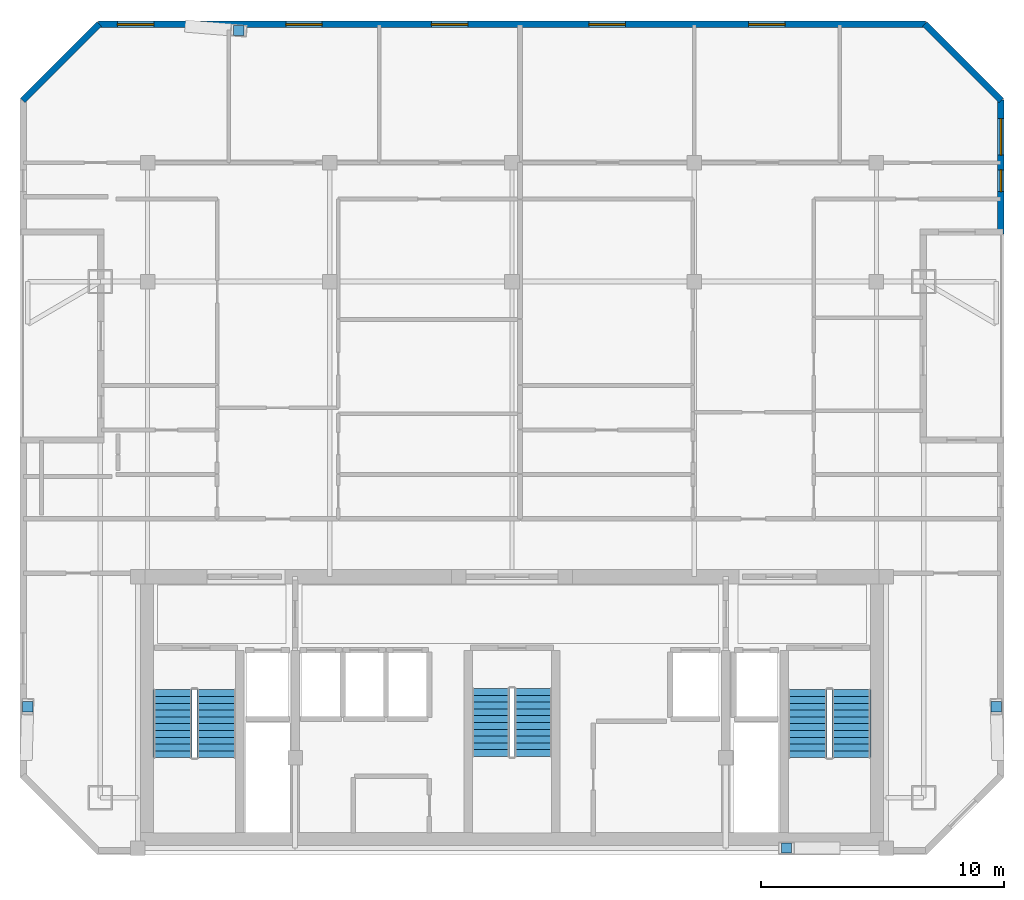
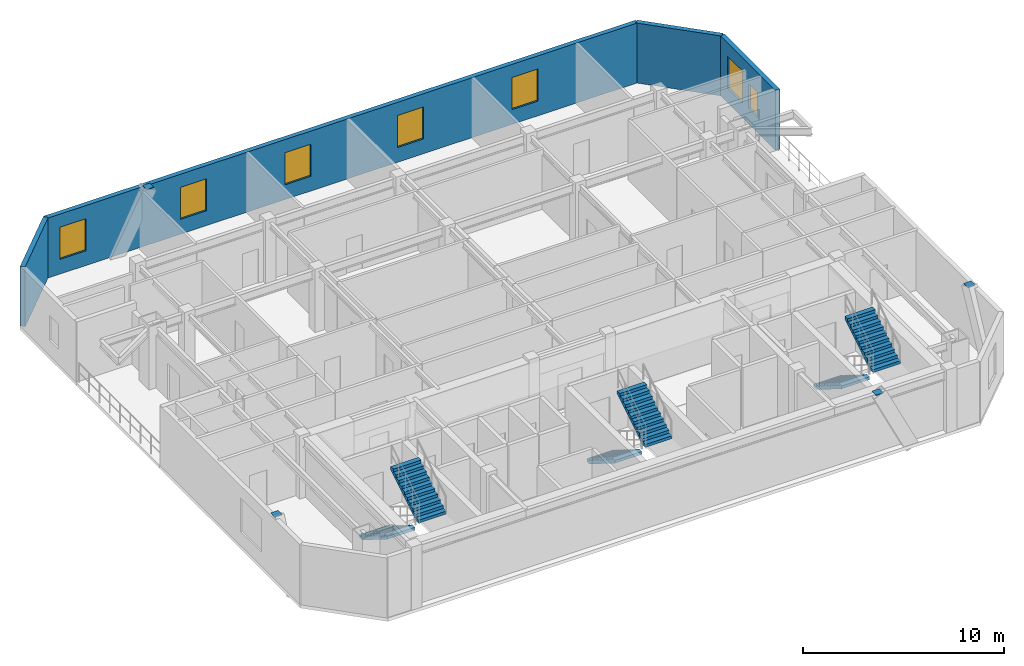
# One storey, part 6 of 7: 7 windows, 6 stair flights, 4 discrete accessories, 4 walls, 7 openings, 3 elements without a shape of their own.
"""IFC4 building model written with IfcOpenShell, lengths in metres."""

from ifc_helpers import new_model, si_unit, direction, frame, frame_2d, origin, origin_2d, place, context, subcontext, project, spatial, polyline, rectangle, outline, extrude, material, layer, layer_set, type_object, element, fill, aggregate, save


model = new_model("IFC4")

# Units and contexts
model_context = context("Model", 3, precision=1e-05, world=origin(), true_north=direction((0.0, 1.0)))
body_context = subcontext(model_context, "Body", "Model", "MODEL_VIEW")
ifc_project = project(units=[si_unit("LENGTHUNIT", "METRE"), si_unit("AREAUNIT", "SQUARE_METRE"), si_unit("VOLUMEUNIT", "CUBIC_METRE"), si_unit("PLANEANGLEUNIT", "RADIAN"), si_unit("MASSUNIT", "GRAM", prefix="KILO")], contexts=[model_context])

# Site, building, storey
site_placement = place(None, origin())
site = spatial("IfcSite", under=ifc_project, at=site_placement, CompositionType="ELEMENT")
building_placement = place(site_placement, origin())
building = spatial("IfcBuilding", under=site, at=building_placement, Name="Ventersveld Concourse Tower", CompositionType="ELEMENT")
storey_placement = place(building_placement, frame((0.0, 0.0, 288.75)))
storey = spatial("IfcBuildingStorey", under=building, at=storey_placement, Name="L71", CompositionType="ELEMENT", Elevation=288.75)

# Wall, openings, windows
ifc_material_1 = material(Name="Precast concrete C45/55", Category="concrete")
ifc_layer = layer(ifc_material_1, 0.260009765625)
ifc_layer_set = layer_set([ifc_layer], Name="Precast concrete C45/55")
wall_type = type_object("IfcWallType", Name="WL-PREC-260", PredefinedType="SOLIDWALL", material=ifc_layer_set)
wall_1_placement = place(storey_placement, frame((48.874755859375, 25.550537109375, 0.0), z_axis=(0.0, 0.0, 1.0), x_axis=(0.0, 1.0, 0.0)))
wall_1 = element("IfcWall", 1, at=wall_1_placement, inside=storey, type_object=wall_type, Name="L71 Highveld Precast Facade Wall E07", PredefinedType="SOLIDWALL", context=body_context, shape_type="SweptSolid", body=[
    extrude(rectangle(XDim=5.53076171875, YDim=0.260009765625, at=frame_2d((2.765380859375, 0.0))), origin(), (0.0, 0.0, 1.0), 3.64990234375),
])
opening_1_placement = place(wall_1_placement, frame((1.74951171875, 0.0, 0.949951171875)))
opening_1 = element("IfcOpeningElement", 2, at=opening_1_placement, cuts=wall_1, Name="Opening W4", PredefinedType="OPENING", context=body_context, shape_type="SweptSolid", body=[
    extrude(rectangle(XDim=0.89990234375, YDim=1.5, at=frame_2d((0.449951171875, 0.75))), frame((0.0, 0.14013671875, 0.0), z_axis=(0.0, -1.0, 0.0), x_axis=(1.0, 0.0, 0.0)), (0.0, 0.0, 1.0), 0.280029296875),
])
opening_2_placement = place(wall_1_placement, frame((3.260498046875, 0.0, 0.89990234375)))
opening_2 = element("IfcOpeningElement", 3, at=opening_2_placement, cuts=wall_1, Name="Opening W1", PredefinedType="OPENING", context=body_context, shape_type="SweptSolid", body=[
    extrude(rectangle(XDim=1.5, YDim=1.949951171875, at=frame_2d((0.75, 0.97509765625))), frame((0.0, 0.14013671875, 0.0), z_axis=(0.0, -1.0, 0.0), x_axis=(1.0, 0.0, 0.0)), (0.0, 0.0, 1.0), 0.280029296875),
])
ifc_material_2 = material(Name="Tempered acoustic Low-E IGU", Category="glass")
window_type_1 = type_object("IfcWindowType", Name="WIN-090x150", PartitioningType="SINGLE_PANEL", PredefinedType="WINDOW", material=ifc_material_2)
window_1_placement = place(opening_1_placement, origin())
window_1 = element("IfcWindow", 4, at=window_1_placement, inside=storey, type_object=window_type_1, Name="L71 Punched Low-E Window W-1016", OverallHeight=1.5, OverallWidth=0.89990234375, PartitioningType="SINGLE_PANEL", PredefinedType="WINDOW", context=body_context, shape_type="SweptSolid", body=[
    extrude(rectangle(XDim=0.89990234375, YDim=1.5, at=frame_2d((0.449951171875, 0.75))), frame((0.0, 0.030029296875, 0.0), z_axis=(0.0, -1.0, 0.0), x_axis=(1.0, 0.0, 0.0)), (0.0, 0.0, 1.0), 0.06005859375),
])
fill(opening_1, window_1)
window_type_2 = type_object("IfcWindowType", Name="WIN-150x210", PartitioningType="SINGLE_PANEL", PredefinedType="WINDOW", material=ifc_material_2)
window_2_placement = place(opening_2_placement, origin())
window_2 = element("IfcWindow", 5, at=window_2_placement, inside=storey, type_object=window_type_2, Name="L71 Punched Low-E Window W-1022", OverallHeight=1.949951171875, OverallWidth=1.5, PartitioningType="SINGLE_PANEL", PredefinedType="WINDOW", context=body_context, shape_type="SweptSolid", body=[
    extrude(rectangle(XDim=1.5, YDim=1.949951171875, at=frame_2d((0.75, 0.97509765625))), frame((0.0, 0.030029296875, 0.0), z_axis=(0.0, -1.0, 0.0), x_axis=(1.0, 0.0, 0.0)), (0.0, 0.0, 1.0), 0.06005859375),
])
fill(opening_2, window_2)

# Wall
wall_2_placement = place(storey_placement, frame((48.884521484375, 31.0576171875, 0.0), z_axis=(0.0, 0.0, 1.0), x_axis=(-0.707106781187, 0.707106781187, 0.0)))
element("IfcWall", 6, at=wall_2_placement, inside=storey, type_object=wall_type, Name="L71 Highveld Precast Facade Wall E08", PredefinedType="SOLIDWALL", context=body_context, shape_type="SweptSolid", body=[
    extrude(rectangle(XDim=4.4453125, YDim=0.260009765625, at=frame_2d((2.22265625, 0.0))), origin(), (0.0, 0.0, 1.0), 3.64990234375),
])

# Wall, openings, windows
wall_3_placement = place(storey_placement, frame((45.7646484375, 34.191162109375, 0.0), z_axis=(0.0, 0.0, 1.0), x_axis=(-1.0, 0.0, 0.0)))
wall_3 = element("IfcWall", 7, at=wall_3_placement, inside=storey, type_object=wall_type, Name="L71 Highveld Precast Facade Wall E09", PredefinedType="SOLIDWALL", context=body_context, shape_type="SweptSolid", body=[
    extrude(rectangle(XDim=34.029296875, YDim=0.260009765625, at=frame_2d((17.0146484375, 0.0))), origin(), (0.0, 0.0, 1.0), 3.64990234375),
])
opening_3_placement = place(wall_3_placement, frame((31.759521484375, 0.0, 0.89990234375)))
opening_3 = element("IfcOpeningElement", 8, at=opening_3_placement, cuts=wall_3, Name="Opening W1", PredefinedType="OPENING", context=body_context, shape_type="SweptSolid", body=[
    extrude(rectangle(XDim=1.5, YDim=1.949951171875, at=frame_2d((0.75, 0.97509765625))), frame((0.0, 0.14013671875, 0.0), z_axis=(0.0, -1.0, 0.0), x_axis=(1.0, 0.0, 0.0)), (0.0, 0.0, 1.0), 0.280029296875),
])
opening_4_placement = place(wall_3_placement, frame((24.828369140625, 0.0, 0.89990234375)))
opening_4 = element("IfcOpeningElement", 9, at=opening_4_placement, cuts=wall_3, Name="Opening W1", PredefinedType="OPENING", context=body_context, shape_type="SweptSolid", body=[
    extrude(rectangle(XDim=1.5, YDim=1.949951171875, at=frame_2d((0.75, 0.97509765625))), frame((0.0, 0.14013671875, 0.0), z_axis=(0.0, -1.0, 0.0), x_axis=(1.0, 0.0, 0.0)), (0.0, 0.0, 1.0), 0.280029296875),
])
opening_5_placement = place(wall_3_placement, frame((18.831298828125, 0.0, 0.89990234375)))
opening_5 = element("IfcOpeningElement", 10, at=opening_5_placement, cuts=wall_3, Name="Opening W1", PredefinedType="OPENING", context=body_context, shape_type="SweptSolid", body=[
    extrude(rectangle(XDim=1.5, YDim=1.949951171875, at=frame_2d((0.75, 0.97509765625))), frame((0.0, 0.14013671875, 0.0), z_axis=(0.0, -1.0, 0.0), x_axis=(1.0, 0.0, 0.0)), (0.0, 0.0, 1.0), 0.280029296875),
])
opening_6_placement = place(wall_3_placement, frame((12.348876953125, 0.0, 0.89990234375)))
opening_6 = element("IfcOpeningElement", 11, at=opening_6_placement, cuts=wall_3, Name="Opening W1", PredefinedType="OPENING", context=body_context, shape_type="SweptSolid", body=[
    extrude(rectangle(XDim=1.5, YDim=1.949951171875, at=frame_2d((0.75, 0.97509765625))), frame((0.0, 0.14013671875, 0.0), z_axis=(0.0, -1.0, 0.0), x_axis=(1.0, 0.0, 0.0)), (0.0, 0.0, 1.0), 0.280029296875),
])
opening_7_placement = place(wall_3_placement, frame((5.76953125, 0.0, 0.89990234375)))
opening_7 = element("IfcOpeningElement", 12, at=opening_7_placement, cuts=wall_3, Name="Opening W1", PredefinedType="OPENING", context=body_context, shape_type="SweptSolid", body=[
    extrude(rectangle(XDim=1.5, YDim=1.949951171875, at=frame_2d((0.75, 0.97509765625))), frame((0.0, 0.14013671875, 0.0), z_axis=(0.0, -1.0, 0.0), x_axis=(1.0, 0.0, 0.0)), (0.0, 0.0, 1.0), 0.280029296875),
])
window_3_placement = place(opening_3_placement, origin())
window_3 = element("IfcWindow", 13, at=window_3_placement, inside=storey, type_object=window_type_2, Name="L71 Punched Low-E Window W-1013", OverallHeight=1.949951171875, OverallWidth=1.5, PartitioningType="SINGLE_PANEL", PredefinedType="WINDOW", context=body_context, shape_type="SweptSolid", body=[
    extrude(rectangle(XDim=1.5, YDim=1.949951171875, at=frame_2d((0.75, 0.97509765625))), frame((0.0, 0.030029296875, 0.0), z_axis=(0.0, -1.0, 0.0), x_axis=(1.0, 0.0, 0.0)), (0.0, 0.0, 1.0), 0.06005859375),
])
fill(opening_3, window_3)
window_4_placement = place(opening_4_placement, origin())
window_4 = element("IfcWindow", 14, at=window_4_placement, inside=storey, type_object=window_type_2, Name="L71 Punched Low-E Window W-1014", OverallHeight=1.949951171875, OverallWidth=1.5, PartitioningType="SINGLE_PANEL", PredefinedType="WINDOW", context=body_context, shape_type="SweptSolid", body=[
    extrude(rectangle(XDim=1.5, YDim=1.949951171875, at=frame_2d((0.75, 0.97509765625))), frame((0.0, 0.030029296875, 0.0), z_axis=(0.0, -1.0, 0.0), x_axis=(1.0, 0.0, 0.0)), (0.0, 0.0, 1.0), 0.06005859375),
])
fill(opening_4, window_4)
window_5_placement = place(opening_5_placement, origin())
window_5 = element("IfcWindow", 15, at=window_5_placement, inside=storey, type_object=window_type_2, Name="L71 Punched Low-E Window W-1015", OverallHeight=1.949951171875, OverallWidth=1.5, PartitioningType="SINGLE_PANEL", PredefinedType="WINDOW", context=body_context, shape_type="SweptSolid", body=[
    extrude(rectangle(XDim=1.5, YDim=1.949951171875, at=frame_2d((0.75, 0.97509765625))), frame((0.0, 0.030029296875, 0.0), z_axis=(0.0, -1.0, 0.0), x_axis=(1.0, 0.0, 0.0)), (0.0, 0.0, 1.0), 0.06005859375),
])
fill(opening_5, window_5)
window_6_placement = place(opening_6_placement, origin())
window_6 = element("IfcWindow", 16, at=window_6_placement, inside=storey, type_object=window_type_2, Name="L71 Punched Low-E Window W-1020", OverallHeight=1.949951171875, OverallWidth=1.5, PartitioningType="SINGLE_PANEL", PredefinedType="WINDOW", context=body_context, shape_type="SweptSolid", body=[
    extrude(rectangle(XDim=1.5, YDim=1.949951171875, at=frame_2d((0.75, 0.97509765625))), frame((0.0, 0.030029296875, 0.0), z_axis=(0.0, -1.0, 0.0), x_axis=(1.0, 0.0, 0.0)), (0.0, 0.0, 1.0), 0.06005859375),
])
fill(opening_6, window_6)
window_7_placement = place(opening_7_placement, origin())
window_7 = element("IfcWindow", 17, at=window_7_placement, inside=storey, type_object=window_type_2, Name="L71 Punched Low-E Window W-1021", OverallHeight=1.949951171875, OverallWidth=1.5, PartitioningType="SINGLE_PANEL", PredefinedType="WINDOW", context=body_context, shape_type="SweptSolid", body=[
    extrude(rectangle(XDim=1.5, YDim=1.949951171875, at=frame_2d((0.75, 0.97509765625))), frame((0.0, 0.030029296875, 0.0), z_axis=(0.0, -1.0, 0.0), x_axis=(1.0, 0.0, 0.0)), (0.0, 0.0, 1.0), 0.06005859375),
])
fill(opening_7, window_7)

# Wall
wall_4_placement = place(storey_placement, frame((11.7587890625, 34.200927734375, 0.0), z_axis=(0.0, 0.0, 1.0), x_axis=(-0.707106781187, -0.707106781187, 0.0)))
element("IfcWall", 18, at=wall_4_placement, inside=storey, type_object=wall_type, Name="L71 Highveld Precast Facade Wall E10", PredefinedType="SOLIDWALL", context=body_context, shape_type="SweptSolid", body=[
    extrude(rectangle(XDim=4.4453125, YDim=0.260009765625, at=frame_2d((2.22265625, 0.0))), origin(), (0.0, 0.0, 1.0), 3.64990234375),
])

# Stair, stair flights
ifc_material_3 = material(Name="Concrete C50/60", Category="concrete")
stair_type_1 = type_object("IfcStairType", Name="ST-DOG-155", PredefinedType="HALF_TURN_STAIR", material=ifc_material_3)
stair_1_placement = place(storey_placement, origin())
stair_1 = element("IfcStair", 19, at=stair_1_placement, inside=storey, type_object=stair_type_1, Name="L71 Protected Central Core Escape Stair ST-03", PredefinedType="HALF_TURN_STAIR")
stair_flight_type_1 = type_object("IfcStairFlightType", Name="STF-RC-155", PredefinedType="STRAIGHT", material=ifc_material_3)
stair_flight_1_placement = place(storey_placement, frame((27.875, 6.85009765625, 0.0), z_axis=(0.0, 0.0, 1.0), x_axis=(0.0, -1.0, 0.0)))
stair_flight_1 = element("IfcStairFlight", 20, at=stair_flight_1_placement, type_object=stair_flight_type_1, Name="ST-03 flight 1", NumberOfRisers=11, NumberOfTreads=10, PredefinedType="STRAIGHT", RiserHeight=0.175, TreadLength=0.28, context=body_context, shape_type="SweptSolid", body=[
    extrude(outline(polyline([(0.0, 0.0), (0.0, 0.175048828125), (0.280029296875, 0.175048828125), (0.280029296875, 0.35009765625), (0.56005859375, 0.35009765625), (0.56005859375, 0.52490234375), (0.840087890625, 0.52490234375), (0.840087890625, 0.699951171875), (1.1201171875, 0.699951171875), (1.1201171875, 0.875), (1.39990234375, 0.875), (1.39990234375, 1.050048828125), (1.679931640625, 1.050048828125), (1.679931640625, 1.22509765625), (1.9599609375, 1.22509765625), (1.9599609375, 1.39990234375), (2.239990234375, 1.39990234375), (2.239990234375, 1.574951171875), (2.52001953125, 1.574951171875), (2.52001953125, 1.75), (2.800048828125, 1.75), (2.800048828125, 1.925048828125), (2.800048828125, 1.5732421875), (0.28271484375, 0.0), (0.0, 0.0)])), frame((0.0, 0.77490234375, 0.0), z_axis=(0.0, -1.0, 0.0), x_axis=(1.0, 0.0, 0.0)), (0.0, 0.0, 1.0), 1.550048828125),
])
stair_flight_2_placement = place(storey_placement, frame((29.625, 4.050048828125, 1.925048828125), z_axis=(0.0, 0.0, 1.0), x_axis=(0.0, 1.0, 0.0)))
stair_flight_2 = element("IfcStairFlight", 21, at=stair_flight_2_placement, type_object=stair_flight_type_1, Name="ST-03 flight 2", NumberOfRisers=11, NumberOfTreads=10, PredefinedType="STRAIGHT", RiserHeight=0.175, TreadLength=0.28, context=body_context, shape_type="SweptSolid", body=[
    extrude(outline(polyline([(0.0, 0.0), (0.0, 0.175048828125), (0.280029296875, 0.175048828125), (0.280029296875, 0.35009765625), (0.56005859375, 0.35009765625), (0.56005859375, 0.52490234375), (0.840087890625, 0.52490234375), (0.840087890625, 0.699951171875), (1.1201171875, 0.699951171875), (1.1201171875, 0.875), (1.39990234375, 0.875), (1.39990234375, 1.050048828125), (1.679931640625, 1.050048828125), (1.679931640625, 1.22509765625), (1.9599609375, 1.22509765625), (1.9599609375, 1.39990234375), (2.239990234375, 1.39990234375), (2.239990234375, 1.574951171875), (2.52001953125, 1.574951171875), (2.52001953125, 1.75), (2.800048828125, 1.75), (2.800048828125, 1.925048828125), (2.800048828125, 1.5732421875), (0.28271484375, 0.0), (0.0, 0.0)])), frame((0.0, 0.77490234375, 0.0), z_axis=(0.0, -1.0, 0.0), x_axis=(1.0, 0.0, 0.0)), (0.0, 0.0, 1.0), 1.550048828125),
])
aggregate(stair_1, [stair_flight_1, stair_flight_2])

stair_type_2 = type_object("IfcStairType", Name="ST-DOG-160", PredefinedType="HALF_TURN_STAIR", material=ifc_material_3)
stair_2_placement = place(storey_placement, origin())
stair_2 = element("IfcStair", 22, at=stair_2_placement, inside=storey, type_object=stair_type_2, Name="L71 Protected Tower Escape Stair ST-01", PredefinedType="HALF_TURN_STAIR")
stair_flight_type_2 = type_object("IfcStairFlightType", Name="STF-RC-160", PredefinedType="STRAIGHT", material=ifc_material_3)
stair_flight_3_placement = place(storey_placement, frame((14.780029296875, 6.800048828125, 0.0), z_axis=(0.0, 0.0, 1.0), x_axis=(0.0, -1.0, 0.0)))
stair_flight_3 = element("IfcStairFlight", 23, at=stair_flight_3_placement, type_object=stair_flight_type_2, Name="ST-01 flight 1", NumberOfRisers=11, NumberOfTreads=10, PredefinedType="STRAIGHT", RiserHeight=0.175, TreadLength=0.28, context=body_context, shape_type="SweptSolid", body=[
    extrude(outline(polyline([(0.0, 0.0), (0.0, 0.175048828125), (0.280029296875, 0.175048828125), (0.280029296875, 0.35009765625), (0.56005859375, 0.35009765625), (0.56005859375, 0.52490234375), (0.840087890625, 0.52490234375), (0.840087890625, 0.699951171875), (1.1201171875, 0.699951171875), (1.1201171875, 0.875), (1.39990234375, 0.875), (1.39990234375, 1.050048828125), (1.679931640625, 1.050048828125), (1.679931640625, 1.22509765625), (1.9599609375, 1.22509765625), (1.9599609375, 1.39990234375), (2.239990234375, 1.39990234375), (2.239990234375, 1.574951171875), (2.52001953125, 1.574951171875), (2.52001953125, 1.75), (2.800048828125, 1.75), (2.800048828125, 1.925048828125), (2.800048828125, 1.5732421875), (0.28271484375, 0.0), (0.0, 0.0)])), frame((0.0, 0.800048828125, 0.0), z_axis=(0.0, -1.0, 0.0), x_axis=(1.0, 0.0, 0.0)), (0.0, 0.0, 1.0), 1.60009765625),
])
stair_flight_4_placement = place(storey_placement, frame((16.580078125, 4.0, 1.925048828125), z_axis=(0.0, 0.0, 1.0), x_axis=(0.0, 1.0, 0.0)))
stair_flight_4 = element("IfcStairFlight", 24, at=stair_flight_4_placement, type_object=stair_flight_type_2, Name="ST-01 flight 2", NumberOfRisers=11, NumberOfTreads=10, PredefinedType="STRAIGHT", RiserHeight=0.175, TreadLength=0.28, context=body_context, shape_type="SweptSolid", body=[
    extrude(outline(polyline([(0.0, 0.0), (0.0, 0.175048828125), (0.280029296875, 0.175048828125), (0.280029296875, 0.35009765625), (0.56005859375, 0.35009765625), (0.56005859375, 0.52490234375), (0.840087890625, 0.52490234375), (0.840087890625, 0.699951171875), (1.1201171875, 0.699951171875), (1.1201171875, 0.875), (1.39990234375, 0.875), (1.39990234375, 1.050048828125), (1.679931640625, 1.050048828125), (1.679931640625, 1.22509765625), (1.9599609375, 1.22509765625), (1.9599609375, 1.39990234375), (2.239990234375, 1.39990234375), (2.239990234375, 1.574951171875), (2.52001953125, 1.574951171875), (2.52001953125, 1.75), (2.800048828125, 1.75), (2.800048828125, 1.925048828125), (2.800048828125, 1.5732421875), (0.28271484375, 0.0), (0.0, 0.0)])), frame((0.0, 0.800048828125, 0.0), z_axis=(0.0, -1.0, 0.0), x_axis=(1.0, 0.0, 0.0)), (0.0, 0.0, 1.0), 1.60009765625),
])
aggregate(stair_2, [stair_flight_3, stair_flight_4])

stair_3_placement = place(storey_placement, origin())
stair_3 = element("IfcStair", 25, at=stair_3_placement, inside=storey, type_object=stair_type_2, Name="L71 Protected Tower Escape Stair ST-02", PredefinedType="HALF_TURN_STAIR")
stair_flight_5_placement = place(storey_placement, frame((40.919921875, 6.800048828125, 0.0), z_axis=(0.0, 0.0, 1.0), x_axis=(0.0, -1.0, 0.0)))
stair_flight_5 = element("IfcStairFlight", 26, at=stair_flight_5_placement, type_object=stair_flight_type_2, Name="ST-02 flight 1", NumberOfRisers=11, NumberOfTreads=10, PredefinedType="STRAIGHT", RiserHeight=0.175, TreadLength=0.28, context=body_context, shape_type="SweptSolid", body=[
    extrude(outline(polyline([(0.0, 0.0), (0.0, 0.175048828125), (0.280029296875, 0.175048828125), (0.280029296875, 0.35009765625), (0.56005859375, 0.35009765625), (0.56005859375, 0.52490234375), (0.840087890625, 0.52490234375), (0.840087890625, 0.699951171875), (1.1201171875, 0.699951171875), (1.1201171875, 0.875), (1.39990234375, 0.875), (1.39990234375, 1.050048828125), (1.679931640625, 1.050048828125), (1.679931640625, 1.22509765625), (1.9599609375, 1.22509765625), (1.9599609375, 1.39990234375), (2.239990234375, 1.39990234375), (2.239990234375, 1.574951171875), (2.52001953125, 1.574951171875), (2.52001953125, 1.75), (2.800048828125, 1.75), (2.800048828125, 1.925048828125), (2.800048828125, 1.5732421875), (0.28271484375, 0.0), (0.0, 0.0)])), frame((0.0, 0.800048828125, 0.0), z_axis=(0.0, -1.0, 0.0), x_axis=(1.0, 0.0, 0.0)), (0.0, 0.0, 1.0), 1.60009765625),
])
stair_flight_6_placement = place(storey_placement, frame((42.719970703125, 4.0, 1.925048828125), z_axis=(0.0, 0.0, 1.0), x_axis=(0.0, 1.0, 0.0)))
stair_flight_6 = element("IfcStairFlight", 27, at=stair_flight_6_placement, type_object=stair_flight_type_2, Name="ST-02 flight 2", NumberOfRisers=11, NumberOfTreads=10, PredefinedType="STRAIGHT", RiserHeight=0.175, TreadLength=0.28, context=body_context, shape_type="SweptSolid", body=[
    extrude(outline(polyline([(0.0, 0.0), (0.0, 0.175048828125), (0.280029296875, 0.175048828125), (0.280029296875, 0.35009765625), (0.56005859375, 0.35009765625), (0.56005859375, 0.52490234375), (0.840087890625, 0.52490234375), (0.840087890625, 0.699951171875), (1.1201171875, 0.699951171875), (1.1201171875, 0.875), (1.39990234375, 0.875), (1.39990234375, 1.050048828125), (1.679931640625, 1.050048828125), (1.679931640625, 1.22509765625), (1.9599609375, 1.22509765625), (1.9599609375, 1.39990234375), (2.239990234375, 1.39990234375), (2.239990234375, 1.574951171875), (2.52001953125, 1.574951171875), (2.52001953125, 1.75), (2.800048828125, 1.75), (2.800048828125, 1.925048828125), (2.800048828125, 1.5732421875), (0.28271484375, 0.0), (0.0, 0.0)])), frame((0.0, 0.800048828125, 0.0), z_axis=(0.0, -1.0, 0.0), x_axis=(1.0, 0.0, 0.0)), (0.0, 0.0, 1.0), 1.60009765625),
])
aggregate(stair_3, [stair_flight_5, stair_flight_6])

# Discrete accessories
ifc_material_4 = material(Name="Structural steel S355J2", Category="steel")
discrete_accessory_type = type_object("IfcDiscreteAccessoryType", Name="CONN-BRACE-ECP1", PredefinedType="BRACKET", material=ifc_material_4)
for number, where, z_axis, x_axis, name in (
    (28, (17.5, 33.9384765625, 3.6298828125), (0.0, 0.0, 1.0), (1.0, 0.0, 0.0), "L71 Steel Brace End Connection Plate ECP1-0469"),
    (29, (40.050048828125, 0.280029296875, 3.6298828125), (0.0, 0.0, 1.0), (1.0, 0.0, 0.0), "L71 Steel Brace End Connection Plate ECP1-0473"),
    (30, (8.810791015625, 6.10009765625, 3.6298828125), (0.0, 0.0, 1.0), (1.0, 0.0, 0.0), "L71 Steel Brace End Connection Plate ECP1-0477"),
    (31, (48.689208984375, 6.10009765625, 3.6298828125), (0.0, 0.0, 1.0), (1.0, 0.0, 0.0), "L71 Steel Brace End Connection Plate ECP1-0481"),
):
    element("IfcDiscreteAccessory", number, at=place(storey_placement, frame(where, z_axis=z_axis, x_axis=x_axis)), inside=storey, type_object=discrete_accessory_type, Name=name, PredefinedType="BRACKET", context=body_context, shape_type="SweptSolid", body=[
        extrude(rectangle(XDim=0.419921875, YDim=0.419921875, at=origin_2d()), origin(), (0.0, 0.0, 1.0), 0.0400390625),
    ])

save(model, "model.ifc")
